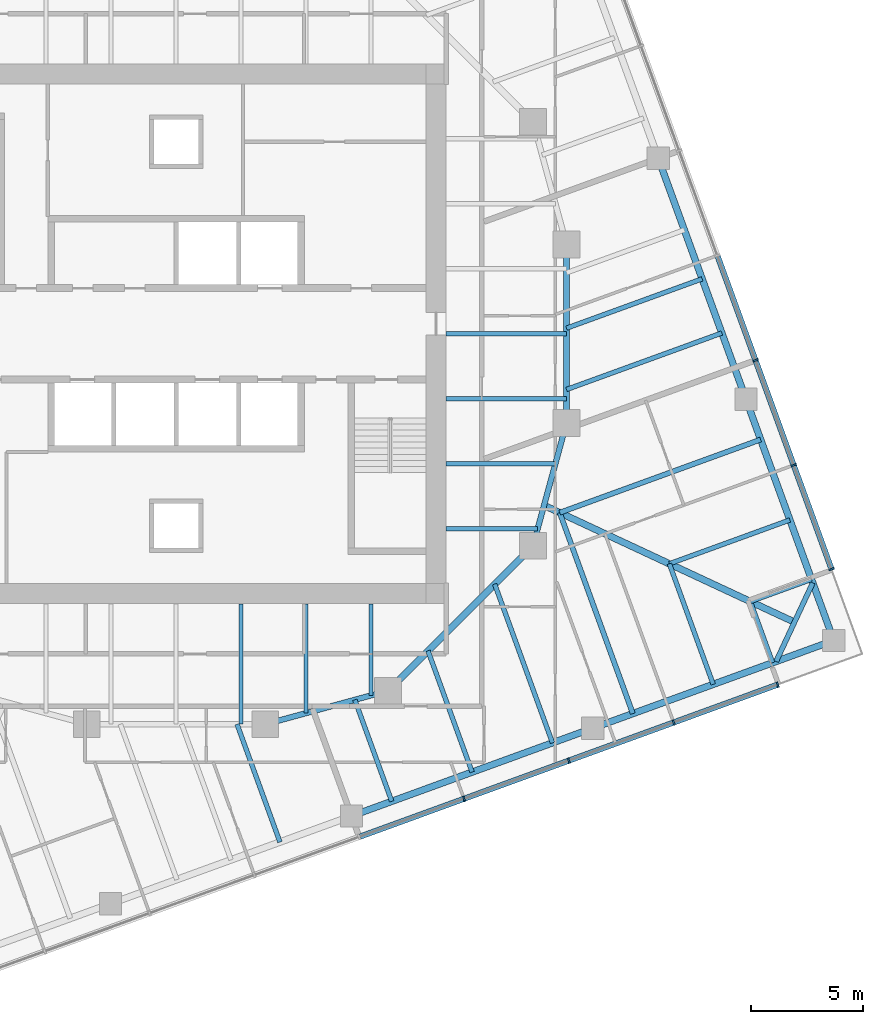
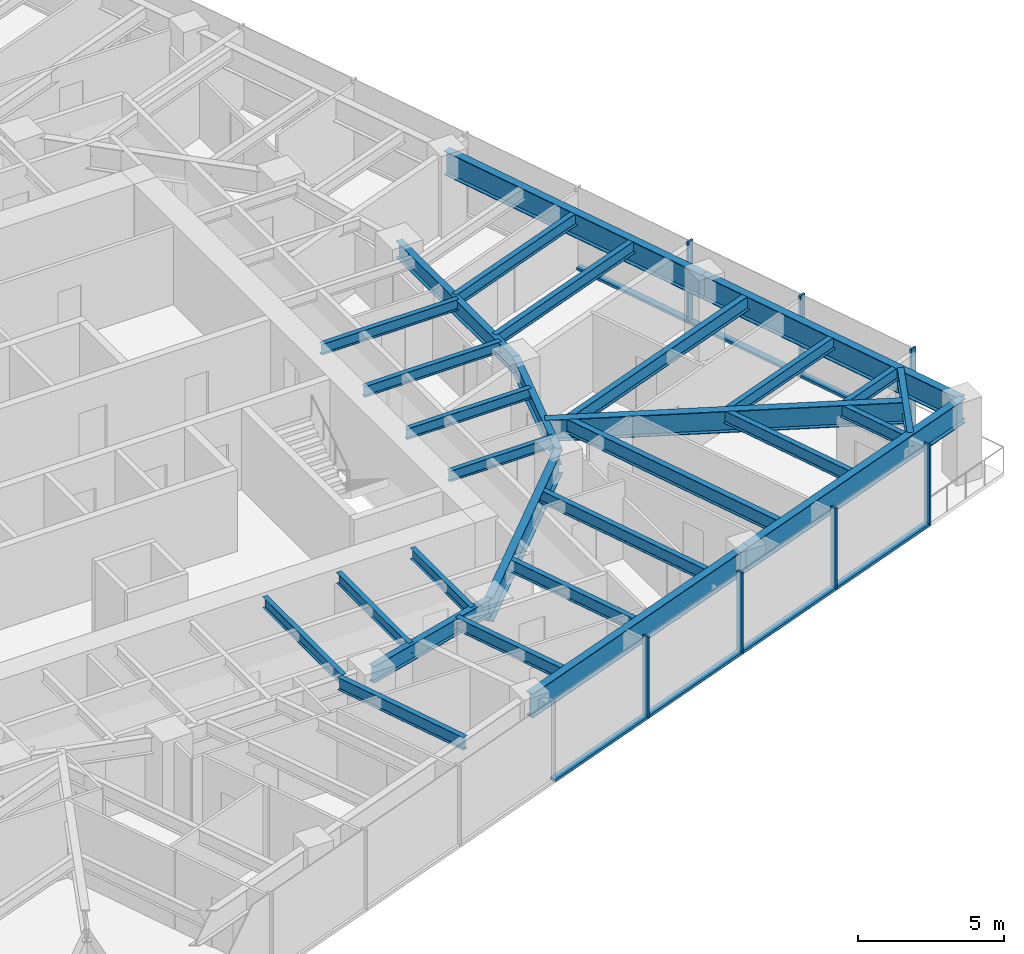
# One storey, part 3 of 13: 29 beams, 14 members, 2 elements without a shape of their own.
"""IFC4 building model written with IfcOpenShell, lengths in metres."""

from ifc_helpers import new_model, si_unit, direction, frame, origin, origin_2d, place, context, subcontext, project, spatial, rectangle, i_section, extrude, material, material_profile, profile_set, type_object, element, aggregate, save


model = new_model("IFC4")

# Units and contexts
model_context = context("Model", 3, precision=1e-05, world=origin(), true_north=direction((0.0, 1.0)))
body_context = subcontext(model_context, "Body", "Model", "MODEL_VIEW")
ifc_project = project(units=[si_unit("LENGTHUNIT", "METRE"), si_unit("AREAUNIT", "SQUARE_METRE"), si_unit("VOLUMEUNIT", "CUBIC_METRE"), si_unit("PLANEANGLEUNIT", "RADIAN"), si_unit("MASSUNIT", "GRAM", prefix="KILO")], contexts=[model_context])

# Site, building, storey
site_placement = place(None, origin())
site = spatial("IfcSite", under=ifc_project, at=site_placement, CompositionType="ELEMENT")
building_placement = place(site_placement, origin())
building = spatial("IfcBuilding", under=site, at=building_placement, Name="Torsade Residences", CompositionType="ELEMENT")
storey_placement = place(building_placement, frame((0.0, 0.0, 143.800048828125)))
storey = spatial("IfcBuildingStorey", under=building, at=storey_placement, Name="L39", CompositionType="ELEMENT", Elevation=143.800048828125)

# Beams
ifc_material_1 = material(Name="Steel grade 300", Category="steel")
ifc_material_profile_1 = material_profile(ifc_material_1, i_section(OverallWidth=0.300048828125, OverallDepth=0.89990234375, WebThickness=0.011962890625, FlangeThickness=0.02490234375, at=origin_2d()), Name="900WB175")
ifc_profile_set_1 = profile_set([ifc_material_profile_1], Name="Steel grade 300")
beam_type_1 = type_object("IfcBeamType", Name="CORNER GIRDER 900WB175", PredefinedType="BEAM", material=ifc_profile_set_1)
beam_1_placement = place(storey_placement, frame((67.717041015625, 17.075439453125, 2.800048828125), z_axis=(-0.906308509373, 0.422616712682, 0.0), x_axis=(-0.422616712682, -0.906308509373, 0.0)))
element("IfcBeam", 1, at=beam_1_placement, inside=storey, type_object=beam_type_1, Name="Corner girder 05 L40", PredefinedType="BEAM", context=body_context, shape_type="SweptSolid", body=[
    extrude(i_section(OverallWidth=0.300048828125, OverallDepth=0.89990234375, WebThickness=0.011962890625, FlangeThickness=0.02490234375, at=origin_2d()), origin(), (0.0, 0.0, 1.0), 12.3837890625),
])
ifc_material_2 = material(Name="Steel grade 300", Category="steel")
ifc_material_profile_2 = material_profile(ifc_material_2, i_section(OverallWidth=0.22802734375, OverallDepth=0.60205078125, WebThickness=0.010498046875, FlangeThickness=0.014892578125, FilletRadius=0.013916015625, at=origin_2d()), Name="610UB101")
ifc_profile_set_2 = profile_set([ifc_material_profile_2], Name="Steel grade 300")
beam_type_2 = type_object("IfcBeamType", Name="CORNER TRIMMER 610UB101", PredefinedType="BEAM", material=ifc_profile_set_2)
beam_2_placement = place(storey_placement, frame((68.538818359375, 18.837646484375, 2.948974609375), z_axis=(-0.422613947806, -0.906309798645, 0.0), x_axis=(0.906309798645, -0.422613947806, 0.0)))
element("IfcBeam", 2, at=beam_2_placement, inside=storey, type_object=beam_type_2, Name="Corner trimmer 05 L40", PredefinedType="BEAM", context=body_context, shape_type="SweptSolid", body=[
    extrude(i_section(OverallWidth=0.22802734375, OverallDepth=0.60205078125, WebThickness=0.010498046875, FlangeThickness=0.014892578125, FilletRadius=0.013916015625, at=origin_2d()), origin(), (0.0, 0.0, 1.0), 3.888916015625),
])
ifc_material_3 = material(Name="Steel grade 300", Category="steel")
ifc_material_profile_3 = material_profile(ifc_material_3, i_section(OverallWidth=0.300048828125, OverallDepth=1.0, WebThickness=0.01611328125, FlangeThickness=0.028076171875, at=origin_2d()), Name="1000WB215")
ifc_profile_set_3 = profile_set([ifc_material_profile_3], Name="Steel grade 300")
beam_type_3 = type_object("IfcBeamType", Name="EDGE BEAM 1000WB215", PredefinedType="SPANDREL", material=ifc_profile_set_3)
for number, where, z_axis, x_axis, name in (
    (3, (47.866455078125, 8.386962890625, 2.75), (0.939688625666, 0.342031119628, 0.0), (-0.342031119628, 0.939688625666, 0.0), "Edge beam 03 L40"),
    (4, (58.6728515625, 12.3203125, 2.75), (0.939697932031, 0.342005550448, 0.0), (-0.342005550448, 0.939697932031, 0.0), "Edge beam 04 L40"),
):
    element("IfcBeam", number, at=place(storey_placement, frame(where, z_axis=z_axis, x_axis=x_axis)), inside=storey, type_object=beam_type_3, Name=name, PredefinedType="SPANDREL", context=body_context, shape_type="SweptSolid", body=[
        extrude(i_section(OverallWidth=0.300048828125, OverallDepth=1.0, WebThickness=0.01611328125, FlangeThickness=0.028076171875, at=origin_2d()), origin(), (0.0, 0.0, 1.0), 11.5),
    ])
beam_3_placement = place(storey_placement, frame((69.4794921875, 16.25341796875, 2.75), z_axis=(-0.342024296483, 0.93969110915, 0.0), x_axis=(-0.93969110915, -0.342024296483, 0.0)))
element("IfcBeam", 5, at=beam_3_placement, inside=storey, type_object=beam_type_3, Name="Edge beam 05 L40", PredefinedType="SPANDREL", context=body_context, shape_type="SweptSolid", body=[
    extrude(i_section(OverallWidth=0.300048828125, OverallDepth=1.0, WebThickness=0.01611328125, FlangeThickness=0.028076171875, at=origin_2d()), origin(), (0.0, 0.0, 1.0), 11.500244140625),
])
beam_4_placement = place(storey_placement, frame((65.546142578125, 27.06005859375, 2.75), z_axis=(-0.342012373318, 0.939695448801, 0.0), x_axis=(-0.939695448801, -0.342012373318, 0.0)))
element("IfcBeam", 6, at=beam_4_placement, inside=storey, type_object=beam_type_3, Name="Edge beam 06 L40", PredefinedType="SPANDREL", context=body_context, shape_type="SweptSolid", body=[
    extrude(i_section(OverallWidth=0.300048828125, OverallDepth=1.0, WebThickness=0.01611328125, FlangeThickness=0.028076171875, at=origin_2d()), origin(), (0.0, 0.0, 1.0), 11.5),
])
ifc_material_4 = material(Name="Steel grade 300", Category="steel")
ifc_material_profile_4 = material_profile(ifc_material_4, i_section(OverallWidth=0.18994140625, OverallDepth=0.4541015625, WebThickness=0.008544921875, FlangeThickness=0.0126953125, FilletRadius=0.011474609375, at=origin_2d()), Name="460UB67.1")
ifc_profile_set_4 = profile_set([ifc_material_profile_4], Name="Steel grade 300")
beam_type_4 = type_object("IfcBeamType", Name="INNER FLOOR BEAM 460UB67.1", PredefinedType="JOIST", material=ifc_profile_set_4)
beam_5_placement = place(storey_placement, frame((48.737548828125, 17.89990234375, 3.02294921875), z_axis=(0.0, -1.0, 0.0), x_axis=(1.0, 0.0, 0.0)))
element("IfcBeam", 7, at=beam_5_placement, inside=storey, type_object=beam_type_4, Name="Inner floor beam IS01 L40", PredefinedType="JOIST", context=body_context, shape_type="SweptSolid", body=[
    extrude(i_section(OverallWidth=0.18994140625, OverallDepth=0.4541015625, WebThickness=0.008544921875, FlangeThickness=0.0126953125, FilletRadius=0.011474609375, at=origin_2d()), origin(), (0.0, 0.0, 1.0), 4.10791015625),
])
beam_6_placement = place(storey_placement, frame((45.824951171875, 17.89990234375, 3.02294921875), z_axis=(0.0, -1.0, 0.0), x_axis=(1.0, 0.0, 0.0)))
element("IfcBeam", 8, at=beam_6_placement, inside=storey, type_object=beam_type_4, Name="Inner floor beam IS02 L40", PredefinedType="JOIST", context=body_context, shape_type="SweptSolid", body=[
    extrude(i_section(OverallWidth=0.18994140625, OverallDepth=0.4541015625, WebThickness=0.008544921875, FlangeThickness=0.0126953125, FilletRadius=0.011474609375, at=origin_2d()), origin(), (0.0, 0.0, 1.0), 4.902099609375),
])
beam_7_placement = place(storey_placement, frame((42.91259765625, 17.89990234375, 3.02294921875), z_axis=(0.0, -1.0, 0.0), x_axis=(1.0, 0.0, 0.0)))
element("IfcBeam", 9, at=beam_7_placement, inside=storey, type_object=beam_type_4, Name="Inner floor beam IS03 L40", PredefinedType="JOIST", context=body_context, shape_type="SweptSolid", body=[
    extrude(i_section(OverallWidth=0.18994140625, OverallDepth=0.4541015625, WebThickness=0.008544921875, FlangeThickness=0.0126953125, FilletRadius=0.011474609375, at=origin_2d()), origin(), (0.0, 0.0, 1.0), 5.39990234375),
])
beam_8_placement = place(storey_placement, frame((52.10009765625, 21.262451171875, 3.02294921875), z_axis=(1.0, 0.0, 0.0), x_axis=(0.0, 1.0, 0.0)))
element("IfcBeam", 10, at=beam_8_placement, inside=storey, type_object=beam_type_4, Name="Inner floor beam IE01 L40", PredefinedType="JOIST", context=body_context, shape_type="SweptSolid", body=[
    extrude(i_section(OverallWidth=0.18994140625, OverallDepth=0.4541015625, WebThickness=0.008544921875, FlangeThickness=0.0126953125, FilletRadius=0.011474609375, at=origin_2d()), origin(), (0.0, 0.0, 1.0), 4.10791015625),
])
beam_9_placement = place(storey_placement, frame((52.10009765625, 24.175048828125, 3.02294921875), z_axis=(1.0, 0.0, 0.0), x_axis=(0.0, 1.0, 0.0)))
element("IfcBeam", 11, at=beam_9_placement, inside=storey, type_object=beam_type_4, Name="Inner floor beam IE02 L40", PredefinedType="JOIST", context=body_context, shape_type="SweptSolid", body=[
    extrude(i_section(OverallWidth=0.18994140625, OverallDepth=0.4541015625, WebThickness=0.008544921875, FlangeThickness=0.0126953125, FilletRadius=0.011474609375, at=origin_2d()), origin(), (0.0, 0.0, 1.0), 4.902099609375),
])
for number, where, z_axis, x_axis, name in (
    (12, (52.10009765625, 27.08740234375, 3.02294921875), (1.0, 0.0, 0.0), (0.0, 1.0, 0.0), "Inner floor beam IE03 L40"),
    (13, (52.10009765625, 30.0, 3.02294921875), (1.0, 0.0, 0.0), (0.0, 1.0, 0.0), "Inner floor beam IE04 L40"),
):
    element("IfcBeam", number, at=place(storey_placement, frame(where, z_axis=z_axis, x_axis=x_axis)), inside=storey, type_object=beam_type_4, Name=name, PredefinedType="JOIST", context=body_context, shape_type="SweptSolid", body=[
        extrude(i_section(OverallWidth=0.18994140625, OverallDepth=0.4541015625, WebThickness=0.008544921875, FlangeThickness=0.0126953125, FilletRadius=0.011474609375, at=origin_2d()), origin(), (0.0, 0.0, 1.0), 5.39990234375),
    ])

# Curtain wall, members
ifc_material_5 = material(Name="Aluminium and glass", Category="aluminium")
curtain_wall_type = type_object("IfcCurtainWallType", Name="FRITTED GLASS CURTAIN WALL MID ZONE", PredefinedType="NOTDEFINED", material=ifc_material_5)
curtain_wall_1_placement = place(storey_placement, origin())
curtain_wall_1 = element("IfcCurtainWall", 14, at=curtain_wall_1_placement, inside=storey, type_object=curtain_wall_type, Name="Curtain wall L39 face 1", PredefinedType="NOTDEFINED")
ifc_material_6 = material(Name="Aluminium mullion", Category="aluminium")
ifc_material_profile_5 = material_profile(ifc_material_6, rectangle(XDim=0.25, YDim=0.080078125, at=origin_2d()), Name="MID ZONE CURTAIN WALL MULLION 250x80")
ifc_profile_set_5 = profile_set([ifc_material_profile_5], Name="Aluminium mullion")
member_type_1 = type_object("IfcMemberType", Name="MID ZONE CURTAIN WALL MULLION 250x80", PredefinedType="MULLION", material=ifc_profile_set_5)
member_1_placement = place(storey_placement, frame((52.906982421875, 9.157470703125, 0.0), z_axis=(0.0, 0.0, 1.0), x_axis=(-0.342020147869, 0.939692619132, 0.0)))
member_1 = element("IfcMember", 15, at=member_1_placement, type_object=member_type_1, Name="Mullion 6", PredefinedType="MULLION", context=body_context, shape_type="SweptSolid", body=[
    extrude(rectangle(XDim=0.25, YDim=0.080078125, at=origin_2d()), origin(), (0.0, 0.0, 1.0), 3.39990234375),
])
member_2_placement = place(storey_placement, frame((57.60546875, 10.86767578125, 0.0), z_axis=(0.0, 0.0, 1.0), x_axis=(-0.342020147869, 0.939692619132, 0.0)))
member_2 = element("IfcMember", 16, at=member_2_placement, type_object=member_type_1, Name="Mullion 7", PredefinedType="MULLION", context=body_context, shape_type="SweptSolid", body=[
    extrude(rectangle(XDim=0.25, YDim=0.080078125, at=origin_2d()), origin(), (0.0, 0.0, 1.0), 3.39990234375),
])
member_3_placement = place(storey_placement, frame((62.303955078125, 12.57763671875, 0.0), z_axis=(0.0, 0.0, 1.0), x_axis=(-0.342020147869, 0.939692619132, 0.0)))
member_3 = element("IfcMember", 17, at=member_3_placement, type_object=member_type_1, Name="Mullion 8", PredefinedType="MULLION", context=body_context, shape_type="SweptSolid", body=[
    extrude(rectangle(XDim=0.25, YDim=0.080078125, at=origin_2d()), origin(), (0.0, 0.0, 1.0), 3.39990234375),
])
member_4_placement = place(storey_placement, frame((66.96484375, 14.274169921875, 0.0), z_axis=(0.0, 0.0, 1.0), x_axis=(-0.342020147869, 0.939692619132, 0.0)))
member_4 = element("IfcMember", 18, at=member_4_placement, type_object=member_type_1, Name="Mullion 9", PredefinedType="MULLION", context=body_context, shape_type="SweptSolid", body=[
    extrude(rectangle(XDim=0.25, YDim=0.080078125, at=origin_2d()), origin(), (0.0, 0.0, 1.0), 3.39990234375),
])

curtain_wall_2_placement = place(storey_placement, origin())
curtain_wall_2 = element("IfcCurtainWall", 19, at=curtain_wall_2_placement, inside=storey, type_object=curtain_wall_type, Name="Curtain wall L39 face 4", PredefinedType="NOTDEFINED")
member_5_placement = place(storey_placement, frame((69.37939453125, 19.4521484375, 0.0), z_axis=(0.0, 0.0, 1.0), x_axis=(-0.939692619132, -0.342020147869, 0.0)))
member_5 = element("IfcMember", 20, at=member_5_placement, type_object=member_type_1, Name="Mullion 1", PredefinedType="MULLION", context=body_context, shape_type="SweptSolid", body=[
    extrude(rectangle(XDim=0.25, YDim=0.080078125, at=origin_2d()), origin(), (0.0, 0.0, 1.0), 3.39990234375),
])
member_6_placement = place(storey_placement, frame((67.682861328125, 24.113037109375, 0.0), z_axis=(0.0, 0.0, 1.0), x_axis=(-0.939692619132, -0.342020147869, 0.0)))
member_6 = element("IfcMember", 21, at=member_6_placement, type_object=member_type_1, Name="Mullion 2", PredefinedType="MULLION", context=body_context, shape_type="SweptSolid", body=[
    extrude(rectangle(XDim=0.25, YDim=0.080078125, at=origin_2d()), origin(), (0.0, 0.0, 1.0), 3.39990234375),
])
member_7_placement = place(storey_placement, frame((65.972900390625, 28.8115234375, 0.0), z_axis=(0.0, 0.0, 1.0), x_axis=(-0.939692619132, -0.342020147869, 0.0)))
member_7 = element("IfcMember", 22, at=member_7_placement, type_object=member_type_1, Name="Mullion 3", PredefinedType="MULLION", context=body_context, shape_type="SweptSolid", body=[
    extrude(rectangle(XDim=0.25, YDim=0.080078125, at=origin_2d()), origin(), (0.0, 0.0, 1.0), 3.39990234375),
])

# Member
ifc_material_7 = material(Name="Aluminium transom", Category="aluminium")
ifc_material_profile_6 = material_profile(ifc_material_7, rectangle(XDim=0.25, YDim=0.110107421875, at=origin_2d()), Name="MID ZONE CURTAIN WALL TRANSOM 250x110")
ifc_profile_set_6 = profile_set([ifc_material_profile_6], Name="Aluminium transom")
member_type_2 = type_object("IfcMemberType", Name="MID ZONE CURTAIN WALL TRANSOM 250x110", PredefinedType="USERDEFINED", material=ifc_profile_set_6)
member_8_placement = place(storey_placement, frame((48.24609375, 7.4609375, 0.054931640625), z_axis=(0.93968471549, 0.342041862168, 0.0), x_axis=(-0.342041862168, 0.93968471549, 0.0)))
member_8 = element("IfcMember", 23, at=member_8_placement, type_object=member_type_2, Name="Transom 5.1", ObjectType="TRANSOM", PredefinedType="USERDEFINED", context=body_context, shape_type="SweptSolid", body=[
    extrude(rectangle(XDim=0.25, YDim=0.110107421875, at=origin_2d()), origin(), (0.0, 0.0, 1.0), 4.920166015625),
])

member_9_placement = place(storey_placement, frame((52.944580078125, 9.171142578125, 0.054931640625), z_axis=(0.93968471549, 0.342041862168, 0.0), x_axis=(-0.342041862168, 0.93968471549, 0.0)))
member_9 = element("IfcMember", 24, at=member_9_placement, type_object=member_type_2, Name="Transom 6.1", ObjectType="TRANSOM", PredefinedType="USERDEFINED", context=body_context, shape_type="SweptSolid", body=[
    extrude(rectangle(XDim=0.25, YDim=0.110107421875, at=origin_2d()), origin(), (0.0, 0.0, 1.0), 4.920166015625),
])

member_10_placement = place(storey_placement, frame((57.64306640625, 10.88134765625, 0.054931640625), z_axis=(0.9397006637, 0.341998044792, 0.0), x_axis=(-0.341998044792, 0.9397006637, 0.0)))
member_10 = element("IfcMember", 25, at=member_10_placement, type_object=member_type_2, Name="Transom 7.1", ObjectType="TRANSOM", PredefinedType="USERDEFINED", context=body_context, shape_type="SweptSolid", body=[
    extrude(rectangle(XDim=0.25, YDim=0.110107421875, at=origin_2d()), origin(), (0.0, 0.0, 1.0), 4.919921875),
])

member_11_placement = place(storey_placement, frame((62.341552734375, 12.59130859375, 0.054931640625), z_axis=(0.939683823915, 0.342044311564, 0.0), x_axis=(-0.342044311564, 0.939683823915, 0.0)))
member_11 = element("IfcMember", 26, at=member_11_placement, type_object=member_type_2, Name="Transom 8.1", ObjectType="TRANSOM", PredefinedType="USERDEFINED", context=body_context, shape_type="SweptSolid", body=[
    extrude(rectangle(XDim=0.25, YDim=0.110107421875, at=origin_2d()), origin(), (0.0, 0.0, 1.0), 4.880126953125),
])

aggregate(curtain_wall_1, [member_1, member_2, member_3, member_4, member_8, member_9, member_10, member_11])

member_12_placement = place(storey_placement, frame((69.36572265625, 19.48974609375, 0.054931640625), z_axis=(-0.342044311564, 0.939683823915, 0.0), x_axis=(-0.939683823915, -0.342044311564, 0.0)))
member_12 = element("IfcMember", 27, at=member_12_placement, type_object=member_type_2, Name="Transom 1.1", ObjectType="TRANSOM", PredefinedType="USERDEFINED", context=body_context, shape_type="SweptSolid", body=[
    extrude(rectangle(XDim=0.25, YDim=0.110107421875, at=origin_2d()), origin(), (0.0, 0.0, 1.0), 4.880126953125),
])

member_13_placement = place(storey_placement, frame((67.669189453125, 24.150634765625, 0.054931640625), z_axis=(-0.341998044792, 0.9397006637, 0.0), x_axis=(-0.9397006637, -0.341998044792, 0.0)))
member_13 = element("IfcMember", 28, at=member_13_placement, type_object=member_type_2, Name="Transom 2.1", ObjectType="TRANSOM", PredefinedType="USERDEFINED", context=body_context, shape_type="SweptSolid", body=[
    extrude(rectangle(XDim=0.25, YDim=0.110107421875, at=origin_2d()), origin(), (0.0, 0.0, 1.0), 4.919921875),
])

member_14_placement = place(storey_placement, frame((65.959228515625, 28.84912109375, 0.054931640625), z_axis=(-0.342041862168, 0.93968471549, 0.0), x_axis=(-0.93968471549, -0.342041862168, 0.0)))
member_14 = element("IfcMember", 29, at=member_14_placement, type_object=member_type_2, Name="Transom 3.1", ObjectType="TRANSOM", PredefinedType="USERDEFINED", context=body_context, shape_type="SweptSolid", body=[
    extrude(rectangle(XDim=0.25, YDim=0.110107421875, at=origin_2d()), origin(), (0.0, 0.0, 1.0), 4.920166015625),
])

aggregate(curtain_wall_2, [member_5, member_6, member_7, member_12, member_13, member_14])

# Beams
ifc_material_8 = material(Name="Steel grade 300", Category="steel")
ifc_material_profile_7 = material_profile(ifc_material_8, i_section(OverallWidth=0.300048828125, OverallDepth=1.0, WebThickness=0.01611328125, FlangeThickness=0.028076171875, at=origin_2d()), Name="1000WB215")
ifc_profile_set_7 = profile_set([ifc_material_profile_7], Name="Steel grade 300")
beam_type_5 = type_object("IfcBeamType", Name="RING CORNER GIRDER 1000WB215", PredefinedType="BEAM", material=ifc_profile_set_7)
beam_10_placement = place(storey_placement, frame((49.5, 14.0, 2.75), z_axis=(0.707106781187, 0.707106781187, 0.0), x_axis=(-0.707106781187, 0.707106781187, 0.0)))
element("IfcBeam", 30, at=beam_10_placement, inside=storey, type_object=beam_type_5, Name="Ring girder IR15 L40", PredefinedType="BEAM", context=body_context, shape_type="SweptSolid", body=[
    extrude(i_section(OverallWidth=0.300048828125, OverallDepth=1.0, WebThickness=0.01611328125, FlangeThickness=0.028076171875, at=origin_2d()), origin(), (0.0, 0.0, 1.0), 9.1923828125),
])
ifc_material_9 = material(Name="Steel grade 300", Category="steel")
ifc_material_profile_8 = material_profile(ifc_material_9, i_section(OverallWidth=0.25, OverallDepth=0.699951171875, WebThickness=0.010009765625, FlangeThickness=0.02001953125, at=origin_2d()), Name="700WB130")
ifc_profile_set_8 = profile_set([ifc_material_profile_8], Name="Steel grade 300")
beam_type_6 = type_object("IfcBeamType", Name="RING GIRDER 700WB130", PredefinedType="BEAM", material=ifc_profile_set_8)
beam_11_placement = place(storey_placement, frame((57.5, 26.0, 2.89990234375), z_axis=(0.0, 1.0, 0.0), x_axis=(-1.0, 0.0, 0.0)))
element("IfcBeam", 31, at=beam_11_placement, inside=storey, type_object=beam_type_6, Name="Ring girder IR01 L40", PredefinedType="BEAM", context=body_context, shape_type="SweptSolid", body=[
    extrude(i_section(OverallWidth=0.25, OverallDepth=0.699951171875, WebThickness=0.010009765625, FlangeThickness=0.02001953125, at=origin_2d()), origin(), (0.0, 0.0, 1.0), 8.0),
])
for number, where, z_axis, x_axis, name in (
    (32, (44.0, 12.5, 2.89990234375), (0.964763821238, 0.263117405792, 0.0), (-0.263117405792, 0.964763821238, 0.0), "Ring girder IR14 L40"),
    (33, (56.0, 20.5, 2.89990234375), (0.263117405792, 0.964763821238, 0.0), (-0.964763821238, 0.263117405792, 0.0), "Ring girder IR16 L40"),
):
    element("IfcBeam", number, at=place(storey_placement, frame(where, z_axis=z_axis, x_axis=x_axis)), inside=storey, type_object=beam_type_6, Name=name, PredefinedType="BEAM", context=body_context, shape_type="SweptSolid", body=[
        extrude(i_section(OverallWidth=0.25, OverallDepth=0.699951171875, WebThickness=0.010009765625, FlangeThickness=0.02001953125, at=origin_2d()), origin(), (0.0, 0.0, 1.0), 5.700927734375),
    ])
ifc_material_10 = material(Name="Steel grade 300", Category="steel")
ifc_material_profile_9 = material_profile(ifc_material_10, i_section(OverallWidth=0.208984375, OverallDepth=0.528076171875, WebThickness=0.009521484375, FlangeThickness=0.01318359375, FilletRadius=0.013916015625, at=origin_2d()), Name="530UB82.0")
ifc_profile_set_9 = profile_set([ifc_material_profile_9], Name="Steel grade 300")
beam_type_7 = type_object("IfcBeamType", Name="SECONDARY BEAM 530UB82.0", PredefinedType="JOIST", material=ifc_profile_set_9)
beam_12_placement = place(storey_placement, frame((44.65576171875, 7.218505859375, 2.98583984375), z_axis=(-0.341990681925, 0.939703343336, 0.0), x_axis=(-0.939703343336, -0.341990681925, 0.0)))
element("IfcBeam", 34, at=beam_12_placement, inside=storey, type_object=beam_type_7, Name="Floor beam FS06 L40", PredefinedType="JOIST", context=body_context, shape_type="SweptSolid", body=[
    extrude(i_section(OverallWidth=0.208984375, OverallDepth=0.528076171875, WebThickness=0.009521484375, FlangeThickness=0.01318359375, FilletRadius=0.013916015625, at=origin_2d()), origin(), (0.0, 0.0, 1.0), 5.620361328125),
])
beam_13_placement = place(storey_placement, frame((49.66748046875, 9.042724609375, 2.98583984375), z_axis=(-0.342014218604, 0.939694777187, 0.0), x_axis=(-0.939694777187, -0.342014218604, 0.0)))
element("IfcBeam", 35, at=beam_13_placement, inside=storey, type_object=beam_type_7, Name="Floor beam FS07 L40", PredefinedType="JOIST", context=body_context, shape_type="SweptSolid", body=[
    extrude(i_section(OverallWidth=0.208984375, OverallDepth=0.528076171875, WebThickness=0.009521484375, FlangeThickness=0.01318359375, FilletRadius=0.013916015625, at=origin_2d()), origin(), (0.0, 0.0, 1.0), 4.84326171875),
])
beam_14_placement = place(storey_placement, frame((53.269775390625, 10.353759765625, 2.98583984375), z_axis=(-0.342034409239, 0.939687428295, 0.0), x_axis=(-0.939687428295, -0.342034409239, 0.0)))
element("IfcBeam", 36, at=beam_14_placement, inside=storey, type_object=beam_type_7, Name="Floor beam FS08 L40", PredefinedType="JOIST", context=body_context, shape_type="SweptSolid", body=[
    extrude(i_section(OverallWidth=0.208984375, OverallDepth=0.528076171875, WebThickness=0.009521484375, FlangeThickness=0.01318359375, FilletRadius=0.013916015625, at=origin_2d()), origin(), (0.0, 0.0, 1.0), 5.785888671875),
])
beam_15_placement = place(storey_placement, frame((56.871826171875, 11.664794921875, 2.98583984375), z_axis=(-0.342027762686, 0.939689847531, 0.0), x_axis=(-0.939689847531, -0.342027762686, 0.0)))
element("IfcBeam", 37, at=beam_15_placement, inside=storey, type_object=beam_type_7, Name="Floor beam FS09 L40", PredefinedType="JOIST", context=body_context, shape_type="SweptSolid", body=[
    extrude(i_section(OverallWidth=0.208984375, OverallDepth=0.528076171875, WebThickness=0.009521484375, FlangeThickness=0.01318359375, FilletRadius=0.013916015625, at=origin_2d()), origin(), (0.0, 0.0, 1.0), 7.573486328125),
])
beam_16_placement = place(storey_placement, frame((64.076171875, 14.286865234375, 2.98583984375), z_axis=(-0.342005550448, 0.939697932031, 0.0), x_axis=(-0.939697932031, -0.342005550448, 0.0)))
element("IfcBeam", 38, at=beam_16_placement, inside=storey, type_object=beam_type_7, Name="Floor beam FS11 L40", PredefinedType="JOIST", context=body_context, shape_type="SweptSolid", body=[
    extrude(i_section(OverallWidth=0.208984375, OverallDepth=0.528076171875, WebThickness=0.009521484375, FlangeThickness=0.01318359375, FilletRadius=0.013916015625, at=origin_2d()), origin(), (0.0, 0.0, 1.0), 5.75),
])
for number, where, z_axis, x_axis, name in (
    (39, (66.738525390625, 15.255859375, 2.98583984375), (-0.341998427281, 0.939700524495, 0.0), (-0.939700524495, -0.341998427281, 0.0), "Floor beam FS12 L40"),
    (40, (68.48193359375, 18.994384765625, 2.98583984375), (-0.939700524495, -0.341998427281, 0.0), (0.341998427281, -0.939700524495, 0.0), "Floor beam FE01 L40"),
):
    element("IfcBeam", number, at=place(storey_placement, frame(where, z_axis=z_axis, x_axis=x_axis)), inside=storey, type_object=beam_type_7, Name=name, PredefinedType="JOIST", context=body_context, shape_type="SweptSolid", body=[
        extrude(i_section(OverallWidth=0.208984375, OverallDepth=0.528076171875, WebThickness=0.009521484375, FlangeThickness=0.01318359375, FilletRadius=0.013916015625, at=origin_2d()), origin(), (0.0, 0.0, 1.0), 2.916748046875),
    ])
beam_17_placement = place(storey_placement, frame((67.5126953125, 21.65673828125, 2.98583984375), z_axis=(-0.939692965423, -0.342019196443, 0.0), x_axis=(0.342019196443, -0.939692965423, 0.0)))
element("IfcBeam", 41, at=beam_17_placement, inside=storey, type_object=beam_type_7, Name="Floor beam FE02 L40", PredefinedType="JOIST", context=body_context, shape_type="SweptSolid", body=[
    extrude(i_section(OverallWidth=0.208984375, OverallDepth=0.528076171875, WebThickness=0.009521484375, FlangeThickness=0.01318359375, FilletRadius=0.013916015625, at=origin_2d()), origin(), (0.0, 0.0, 1.0), 5.749755859375),
])
beam_18_placement = place(storey_placement, frame((64.463134765625, 30.03564453125, 2.98583984375), z_axis=(-0.939690450554, -0.342026105929, 0.0), x_axis=(0.342026105929, -0.939690450554, 0.0)))
element("IfcBeam", 42, at=beam_18_placement, inside=storey, type_object=beam_type_7, Name="Floor beam FE04 L40", PredefinedType="JOIST", context=body_context, shape_type="SweptSolid", body=[
    extrude(i_section(OverallWidth=0.208984375, OverallDepth=0.528076171875, WebThickness=0.009521484375, FlangeThickness=0.01318359375, FilletRadius=0.013916015625, at=origin_2d()), origin(), (0.0, 0.0, 1.0), 7.409912109375),
])
beam_19_placement = place(storey_placement, frame((63.57958984375, 32.463134765625, 2.98583984375), z_axis=(-0.939699737026, -0.342000590983, 0.0), x_axis=(0.342000590983, -0.939699737026, 0.0)))
element("IfcBeam", 43, at=beam_19_placement, inside=storey, type_object=beam_type_7, Name="Floor beam FE05 L40", PredefinedType="JOIST", context=body_context, shape_type="SweptSolid", body=[
    extrude(i_section(OverallWidth=0.208984375, OverallDepth=0.528076171875, WebThickness=0.009521484375, FlangeThickness=0.01318359375, FilletRadius=0.013916015625, at=origin_2d()), origin(), (0.0, 0.0, 1.0), 6.4697265625),
])
ifc_material_11 = material(Name="Steel grade 300", Category="steel")
ifc_material_profile_10 = material_profile(ifc_material_11, i_section(OverallWidth=0.22900390625, OverallDepth=0.612060546875, WebThickness=0.011962890625, FlangeThickness=0.01953125, FilletRadius=0.013916015625, at=origin_2d()), Name="610UB125")
ifc_profile_set_10 = profile_set([ifc_material_profile_10], Name="Steel grade 300")
beam_type_8 = type_object("IfcBeamType", Name="SECONDARY BEAM 610UB125", PredefinedType="JOIST", material=ifc_profile_set_10)
for number, where, z_axis, x_axis, name in (
    (44, (60.47412109375, 12.975830078125, 2.94384765625), (-0.342033504181, 0.939687757725, 0.0), (-0.939687757725, -0.342033504181, 0.0), "Floor beam FS10 L40"),
    (45, (66.20166015625, 25.259033203125, 2.94384765625), (-0.939687757725, -0.342033504181, 0.0), (0.342033504181, -0.939687757725, 0.0), "Floor beam FE03 L40"),
):
    element("IfcBeam", number, at=place(storey_placement, frame(where, z_axis=z_axis, x_axis=x_axis)), inside=storey, type_object=beam_type_8, Name=name, PredefinedType="JOIST", context=body_context, shape_type="SweptSolid", body=[
        extrude(i_section(OverallWidth=0.22900390625, OverallDepth=0.612060546875, WebThickness=0.011962890625, FlangeThickness=0.01953125, FilletRadius=0.013916015625, at=origin_2d()), origin(), (0.0, 0.0, 1.0), 9.583251953125),
    ])

save(model, "model.ifc")
